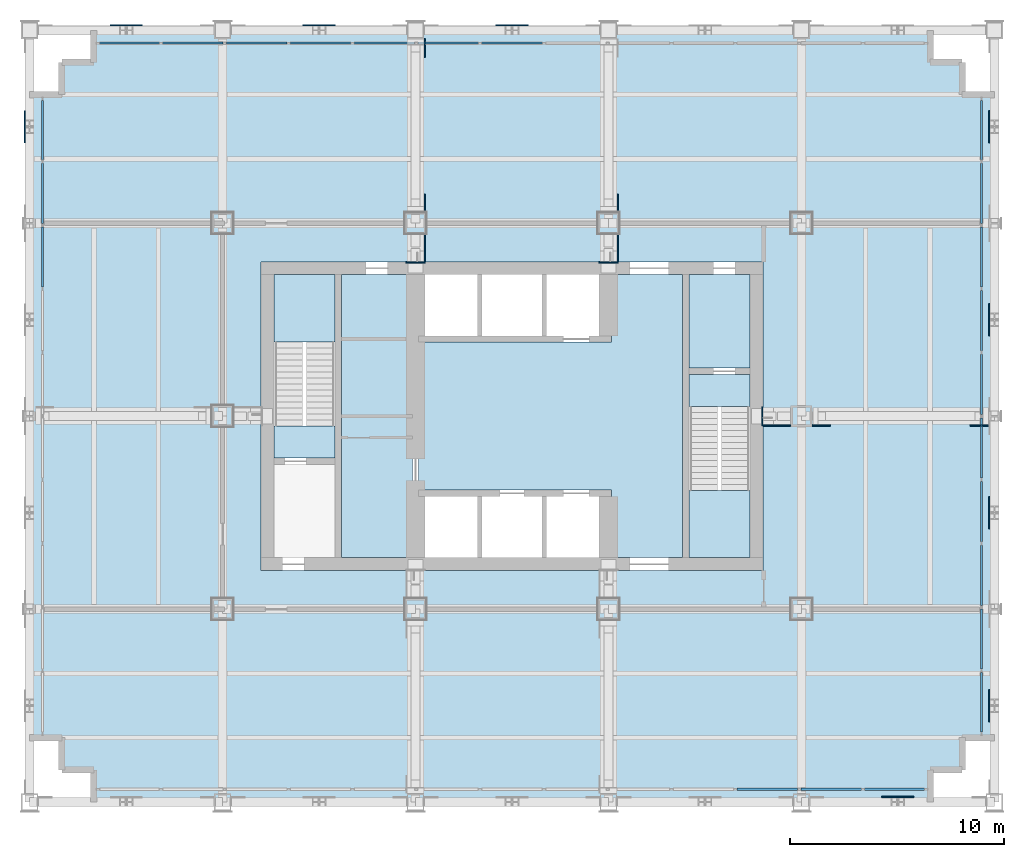
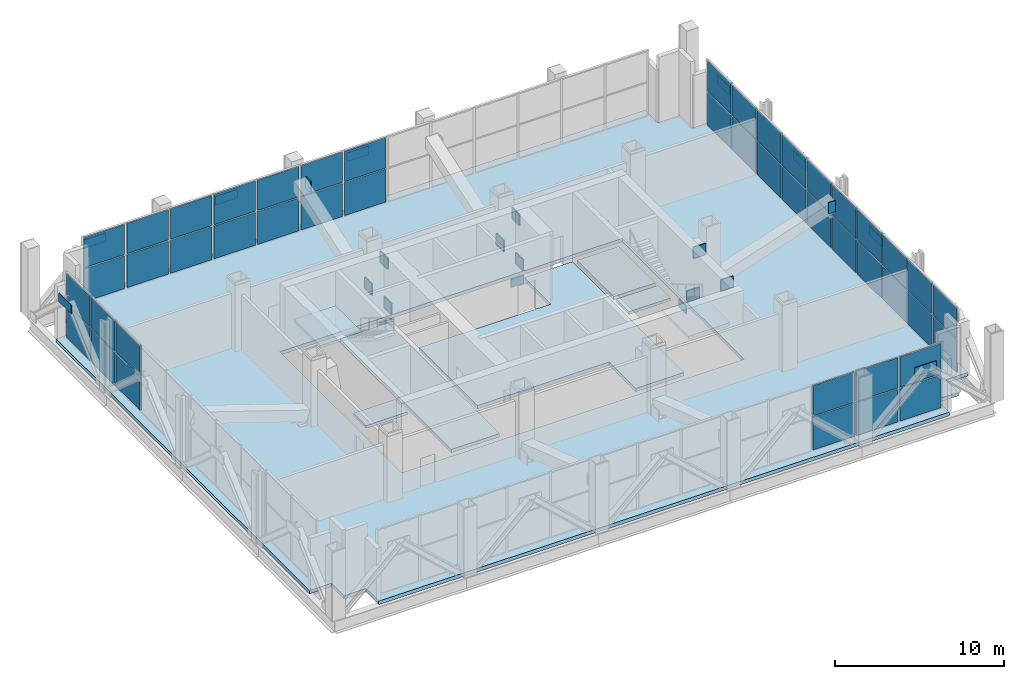
# One storey, part 10 of 16: 69 plates, 8 slabs, 6 elements without a shape of their own.
"""IFC4 building model written with IfcOpenShell, lengths in metres."""

from ifc_helpers import new_model, si_unit, direction, frame, origin, origin_2d, place, context, subcontext, project, spatial, polyline, rectangle, outline, extrude, material, layer, layer_set, type_object, element, aggregate, save


model = new_model("IFC4")

# Units and contexts
model_context = context("Model", 3, precision=1e-05, world=origin(), true_north=direction((0.0, 1.0)))
body_context = subcontext(model_context, "Body", "Model", "MODEL_VIEW")
ifc_project = project(units=[si_unit("LENGTHUNIT", "METRE"), si_unit("AREAUNIT", "SQUARE_METRE"), si_unit("VOLUMEUNIT", "CUBIC_METRE"), si_unit("PLANEANGLEUNIT", "RADIAN"), si_unit("MASSUNIT", "GRAM", prefix="KILO")], contexts=[model_context])

# Site, building, storey
site_placement = place(None, origin())
site = spatial("IfcSite", under=ifc_project, at=site_placement, CompositionType="ELEMENT")
building_placement = place(site_placement, origin())
building = spatial("IfcBuilding", under=site, at=building_placement, Name="Loomwork Tower", CompositionType="ELEMENT")
storey_placement = place(building_placement, frame((0.0, 0.0, 155.39990234375)))
storey = spatial("IfcBuildingStorey", under=building, at=storey_placement, Name="L42", CompositionType="ELEMENT", Elevation=155.39990234375)

# Slabs
ifc_material_1 = material(Name="Concrete 5000 psi (34 MPa) on composite metal deck", Category="concrete")
ifc_layer_1 = layer(ifc_material_1, 0.25)
ifc_layer_set_1 = layer_set([ifc_layer_1], Name="Floor slab 250")
slab_type_1 = type_object("IfcSlabType", Name="Floor slab 250", PredefinedType="FLOOR", material=ifc_layer_set_1)
slab_1_placement = place(storey_placement, frame((0.0, 0.0, -0.25)))
element("IfcSlab", 1, at=slab_1_placement, inside=storey, type_object=slab_type_1, Name="Floor slab L42", PredefinedType="FLOOR", context=body_context, shape_type="SweptSolid", body=[
    extrude(outline(polyline([(3.0, 1.5), (1.5, 1.5), (1.5, 3.0), (0.0, 3.0), (0.0, 33.0), (1.5, 33.0), (1.5, 34.5), (3.0, 34.5), (3.0, 36.0), (42.0, 36.0), (42.0, 34.5), (43.5, 34.5), (43.5, 33.0), (45.0, 33.0), (45.0, 3.0), (43.5, 3.0), (43.5, 1.5), (42.0, 1.5), (42.0, 0.0), (3.0, 0.0), (3.0, 1.5)]), holes=[polyline([(10.800048828125, 11.39990234375), (10.800048828125, 11.39990234375), (10.800048828125, 10.800048828125), (34.199951171875, 10.800048828125), (34.199951171875, 11.39990234375), (34.199951171875, 11.39990234375), (34.199951171875, 24.60009765625), (34.199951171875, 25.199951171875), (10.800048828125, 25.199951171875), (10.800048828125, 24.60009765625), (10.800048828125, 11.39990234375)])]), origin(), (0.0, 0.0, 1.0), 0.25),
])
slab_2_placement = place(storey_placement, frame((0.0, 0.0, -0.25)))
element("IfcSlab", 2, at=slab_2_placement, inside=storey, type_object=slab_type_1, Name="Floor slab L42", PredefinedType="FLOOR", context=body_context, shape_type="SweptSolid", body=[
    extrude(outline(polyline([(30.449951171875, 24.60009765625), (30.449951171875, 11.39990234375), (27.14990234375, 11.39990234375), (27.14990234375, 14.25), (27.14990234375, 14.550048828125), (18.14990234375, 14.550048828125), (18.14990234375, 21.449951171875), (27.14990234375, 21.449951171875), (27.14990234375, 21.75), (27.14990234375, 24.60009765625), (30.449951171875, 24.60009765625)])), origin(), (0.0, 0.0, 1.0), 0.25),
])
slab_3_placement = place(storey_placement, frame((0.0, 0.0, -0.25)))
element("IfcSlab", 3, at=slab_3_placement, inside=storey, type_object=slab_type_1, Name="Floor slab L42", PredefinedType="FLOOR", context=body_context, shape_type="SweptSolid", body=[
    extrude(outline(polyline([(14.550048828125, 11.39990234375), (14.550048828125, 24.60009765625), (17.85009765625, 24.60009765625), (17.85009765625, 11.39990234375), (14.550048828125, 11.39990234375)])), origin(), (0.0, 0.0, 1.0), 0.25),
])
slab_4_placement = place(storey_placement, frame((0.0, 0.0, -0.25)))
element("IfcSlab", 4, at=slab_4_placement, inside=storey, type_object=slab_type_1, Name="Floor slab L42", PredefinedType="FLOOR", context=body_context, shape_type="SweptSolid", body=[
    extrude(outline(polyline([(33.60009765625, 20.25), (30.75, 20.25), (30.75, 24.60009765625), (33.60009765625, 24.60009765625), (33.60009765625, 20.25)])), origin(), (0.0, 0.0, 1.0), 0.25),
])

# Curtain wall, plates
ifc_material_2 = material(Name="Aluminium louvre frame", Category="aluminium")
curtain_wall_type = type_object("IfcCurtainWallType", Name="Plant floor louvre screen", PredefinedType="NOTDEFINED", material=ifc_material_2)
curtain_wall_1_placement = place(storey_placement, origin())
curtain_wall_1 = element("IfcCurtainWall", 5, at=curtain_wall_1_placement, inside=storey, type_object=curtain_wall_type, Name="Plant floor louvre screen cw/S", PredefinedType="NOTDEFINED")
ifc_material_3 = material(Name="Aluminium louvre blade panel", Category="aluminium")
ifc_layer_2 = layer(ifc_material_3, 0.10009765625)
ifc_layer_set_2 = layer_set([ifc_layer_2], Name="Plant floor louvre screen panel")
plate_type_1 = type_object("IfcPlateType", Name="Plant floor louvre screen panel", PredefinedType="CURTAIN_PANEL", material=ifc_layer_set_2)
plate_1_placement = place(storey_placement, frame((34.40771484375, 0.60009765625, 0.080078125), z_axis=(0.0, 0.0, 1.0), x_axis=(1.0, 0.0, 0.0)))
plate_1 = element("IfcPlate", 6, at=plate_1_placement, type_object=plate_type_1, Name="CW4 panel 11.1", PredefinedType="CURTAIN_PANEL", context=body_context, shape_type="SweptSolid", body=[
    extrude(rectangle(XDim=2.826904296875, YDim=0.10009765625, at=origin_2d()), origin(), (0.0, 0.0, 1.0), 2.3798828125),
])
plate_2_placement = place(storey_placement, frame((34.40771484375, 0.60009765625, 2.5400390625), z_axis=(0.0, 0.0, 1.0), x_axis=(1.0, 0.0, 0.0)))
plate_2 = element("IfcPlate", 7, at=plate_2_placement, type_object=plate_type_1, Name="CW4 panel 11.2", PredefinedType="CURTAIN_PANEL", context=body_context, shape_type="SweptSolid", body=[
    extrude(rectangle(XDim=2.826904296875, YDim=0.10009765625, at=origin_2d()), origin(), (0.0, 0.0, 1.0), 2.179931640625),
])
plate_3_placement = place(storey_placement, frame((37.384521484375, 0.60009765625, 0.080078125), z_axis=(0.0, 0.0, 1.0), x_axis=(1.0, 0.0, 0.0)))
plate_3 = element("IfcPlate", 8, at=plate_3_placement, type_object=plate_type_1, Name="CW4 panel 12.1", PredefinedType="CURTAIN_PANEL", context=body_context, shape_type="SweptSolid", body=[
    extrude(rectangle(XDim=2.826904296875, YDim=0.10009765625, at=origin_2d()), origin(), (0.0, 0.0, 1.0), 2.3798828125),
])
plate_4_placement = place(storey_placement, frame((37.384521484375, 0.60009765625, 2.5400390625), z_axis=(0.0, 0.0, 1.0), x_axis=(1.0, 0.0, 0.0)))
plate_4 = element("IfcPlate", 9, at=plate_4_placement, type_object=plate_type_1, Name="CW4 panel 12.2", PredefinedType="CURTAIN_PANEL", context=body_context, shape_type="SweptSolid", body=[
    extrude(rectangle(XDim=2.826904296875, YDim=0.10009765625, at=origin_2d()), origin(), (0.0, 0.0, 1.0), 2.179931640625),
])
plate_5_placement = place(storey_placement, frame((40.341552734375, 0.60009765625, 0.080078125), z_axis=(0.0, 0.0, 1.0), x_axis=(1.0, 0.0, 0.0)))
plate_5 = element("IfcPlate", 10, at=plate_5_placement, type_object=plate_type_1, Name="CW4 panel 13.1", PredefinedType="CURTAIN_PANEL", context=body_context, shape_type="SweptSolid", body=[
    extrude(rectangle(XDim=2.786865234375, YDim=0.10009765625, at=origin_2d()), origin(), (0.0, 0.0, 1.0), 2.3798828125),
])
plate_6_placement = place(storey_placement, frame((40.341552734375, 0.60009765625, 2.5400390625), z_axis=(0.0, 0.0, 1.0), x_axis=(1.0, 0.0, 0.0)))
plate_6 = element("IfcPlate", 11, at=plate_6_placement, type_object=plate_type_1, Name="CW4 panel 13.2", PredefinedType="CURTAIN_PANEL", context=body_context, shape_type="SweptSolid", body=[
    extrude(rectangle(XDim=2.786865234375, YDim=0.10009765625, at=origin_2d()), origin(), (0.0, 0.0, 1.0), 2.179931640625),
])
aggregate(curtain_wall_1, [plate_1, plate_2, plate_3, plate_4, plate_5, plate_6])

curtain_wall_2_placement = place(storey_placement, origin())
curtain_wall_2 = element("IfcCurtainWall", 12, at=curtain_wall_2_placement, inside=storey, type_object=curtain_wall_type, Name="Plant floor louvre screen cw/E", PredefinedType="NOTDEFINED")
plate_7_placement = place(storey_placement, frame((44.39990234375, 4.655029296875, 0.080078125), z_axis=(0.0, 0.0, 1.0), x_axis=(0.0, 1.0, 0.0)))
plate_7 = element("IfcPlate", 13, at=plate_7_placement, type_object=plate_type_1, Name="CW4 panel 1.1", PredefinedType="CURTAIN_PANEL", context=body_context, shape_type="SweptSolid", body=[
    extrude(rectangle(XDim=2.780029296875, YDim=0.10009765625, at=origin_2d()), origin(), (0.0, 0.0, 1.0), 2.3798828125),
])
plate_8_placement = place(storey_placement, frame((44.39990234375, 4.655029296875, 2.5400390625), z_axis=(0.0, 0.0, 1.0), x_axis=(0.0, 1.0, 0.0)))
plate_8 = element("IfcPlate", 14, at=plate_8_placement, type_object=plate_type_1, Name="CW4 panel 1.2", PredefinedType="CURTAIN_PANEL", context=body_context, shape_type="SweptSolid", body=[
    extrude(rectangle(XDim=2.780029296875, YDim=0.10009765625, at=origin_2d()), origin(), (0.0, 0.0, 1.0), 2.179931640625),
])
plate_9_placement = place(storey_placement, frame((44.39990234375, 7.60498046875, 0.080078125), z_axis=(0.0, 0.0, 1.0), x_axis=(0.0, 1.0, 0.0)))
plate_9 = element("IfcPlate", 15, at=plate_9_placement, type_object=plate_type_1, Name="CW4 panel 2.1", PredefinedType="CURTAIN_PANEL", context=body_context, shape_type="SweptSolid", body=[
    extrude(rectangle(XDim=2.820068359375, YDim=0.10009765625, at=origin_2d()), origin(), (0.0, 0.0, 1.0), 2.3798828125),
])
plate_10_placement = place(storey_placement, frame((44.39990234375, 7.60498046875, 2.5400390625), z_axis=(0.0, 0.0, 1.0), x_axis=(0.0, 1.0, 0.0)))
plate_10 = element("IfcPlate", 16, at=plate_10_placement, type_object=plate_type_1, Name="CW4 panel 2.2", PredefinedType="CURTAIN_PANEL", context=body_context, shape_type="SweptSolid", body=[
    extrude(rectangle(XDim=2.820068359375, YDim=0.10009765625, at=origin_2d()), origin(), (0.0, 0.0, 1.0), 2.179931640625),
])
plate_11_placement = place(storey_placement, frame((44.39990234375, 10.574951171875, 0.080078125), z_axis=(0.0, 0.0, 1.0), x_axis=(0.0, 1.0, 0.0)))
plate_11 = element("IfcPlate", 17, at=plate_11_placement, type_object=plate_type_1, Name="CW4 panel 3.1", PredefinedType="CURTAIN_PANEL", context=body_context, shape_type="SweptSolid", body=[
    extrude(rectangle(XDim=2.820068359375, YDim=0.10009765625, at=origin_2d()), origin(), (0.0, 0.0, 1.0), 2.3798828125),
])
plate_12_placement = place(storey_placement, frame((44.39990234375, 10.574951171875, 2.5400390625), z_axis=(0.0, 0.0, 1.0), x_axis=(0.0, 1.0, 0.0)))
plate_12 = element("IfcPlate", 18, at=plate_12_placement, type_object=plate_type_1, Name="CW4 panel 3.2", PredefinedType="CURTAIN_PANEL", context=body_context, shape_type="SweptSolid", body=[
    extrude(rectangle(XDim=2.820068359375, YDim=0.10009765625, at=origin_2d()), origin(), (0.0, 0.0, 1.0), 2.179931640625),
])
plate_13_placement = place(storey_placement, frame((44.39990234375, 13.544921875, 0.080078125), z_axis=(0.0, 0.0, 1.0), x_axis=(0.0, 1.0, 0.0)))
plate_13 = element("IfcPlate", 19, at=plate_13_placement, type_object=plate_type_1, Name="CW4 panel 4.1", PredefinedType="CURTAIN_PANEL", context=body_context, shape_type="SweptSolid", body=[
    extrude(rectangle(XDim=2.820068359375, YDim=0.10009765625, at=origin_2d()), origin(), (0.0, 0.0, 1.0), 2.3798828125),
])
plate_14_placement = place(storey_placement, frame((44.39990234375, 13.544921875, 2.5400390625), z_axis=(0.0, 0.0, 1.0), x_axis=(0.0, 1.0, 0.0)))
plate_14 = element("IfcPlate", 20, at=plate_14_placement, type_object=plate_type_1, Name="CW4 panel 4.2", PredefinedType="CURTAIN_PANEL", context=body_context, shape_type="SweptSolid", body=[
    extrude(rectangle(XDim=2.820068359375, YDim=0.10009765625, at=origin_2d()), origin(), (0.0, 0.0, 1.0), 2.179931640625),
])
plate_15_placement = place(storey_placement, frame((44.39990234375, 16.514892578125, 0.080078125), z_axis=(0.0, 0.0, 1.0), x_axis=(0.0, 1.0, 0.0)))
plate_15 = element("IfcPlate", 21, at=plate_15_placement, type_object=plate_type_1, Name="CW4 panel 5.1", PredefinedType="CURTAIN_PANEL", context=body_context, shape_type="SweptSolid", body=[
    extrude(rectangle(XDim=2.820068359375, YDim=0.10009765625, at=origin_2d()), origin(), (0.0, 0.0, 1.0), 2.3798828125),
])
plate_16_placement = place(storey_placement, frame((44.39990234375, 16.514892578125, 2.5400390625), z_axis=(0.0, 0.0, 1.0), x_axis=(0.0, 1.0, 0.0)))
plate_16 = element("IfcPlate", 22, at=plate_16_placement, type_object=plate_type_1, Name="CW4 panel 5.2", PredefinedType="CURTAIN_PANEL", context=body_context, shape_type="SweptSolid", body=[
    extrude(rectangle(XDim=2.820068359375, YDim=0.10009765625, at=origin_2d()), origin(), (0.0, 0.0, 1.0), 2.179931640625),
])
plate_17_placement = place(storey_placement, frame((44.39990234375, 19.485107421875, 0.080078125), z_axis=(0.0, 0.0, 1.0), x_axis=(0.0, 1.0, 0.0)))
plate_17 = element("IfcPlate", 23, at=plate_17_placement, type_object=plate_type_1, Name="CW4 panel 6.1", PredefinedType="CURTAIN_PANEL", context=body_context, shape_type="SweptSolid", body=[
    extrude(rectangle(XDim=2.820068359375, YDim=0.10009765625, at=origin_2d()), origin(), (0.0, 0.0, 1.0), 2.3798828125),
])
plate_18_placement = place(storey_placement, frame((44.39990234375, 19.485107421875, 2.5400390625), z_axis=(0.0, 0.0, 1.0), x_axis=(0.0, 1.0, 0.0)))
plate_18 = element("IfcPlate", 24, at=plate_18_placement, type_object=plate_type_1, Name="CW4 panel 6.2", PredefinedType="CURTAIN_PANEL", context=body_context, shape_type="SweptSolid", body=[
    extrude(rectangle(XDim=2.820068359375, YDim=0.10009765625, at=origin_2d()), origin(), (0.0, 0.0, 1.0), 2.179931640625),
])
plate_19_placement = place(storey_placement, frame((44.39990234375, 22.455078125, 0.080078125), z_axis=(0.0, 0.0, 1.0), x_axis=(0.0, 1.0, 0.0)))
plate_19 = element("IfcPlate", 25, at=plate_19_placement, type_object=plate_type_1, Name="CW4 panel 7.1", PredefinedType="CURTAIN_PANEL", context=body_context, shape_type="SweptSolid", body=[
    extrude(rectangle(XDim=2.820068359375, YDim=0.10009765625, at=origin_2d()), origin(), (0.0, 0.0, 1.0), 2.3798828125),
])
plate_20_placement = place(storey_placement, frame((44.39990234375, 22.455078125, 2.5400390625), z_axis=(0.0, 0.0, 1.0), x_axis=(0.0, 1.0, 0.0)))
plate_20 = element("IfcPlate", 26, at=plate_20_placement, type_object=plate_type_1, Name="CW4 panel 7.2", PredefinedType="CURTAIN_PANEL", context=body_context, shape_type="SweptSolid", body=[
    extrude(rectangle(XDim=2.820068359375, YDim=0.10009765625, at=origin_2d()), origin(), (0.0, 0.0, 1.0), 2.179931640625),
])
plate_21_placement = place(storey_placement, frame((44.39990234375, 25.425048828125, 0.080078125), z_axis=(0.0, 0.0, 1.0), x_axis=(0.0, 1.0, 0.0)))
plate_21 = element("IfcPlate", 27, at=plate_21_placement, type_object=plate_type_1, Name="CW4 panel 8.1", PredefinedType="CURTAIN_PANEL", context=body_context, shape_type="SweptSolid", body=[
    extrude(rectangle(XDim=2.820068359375, YDim=0.10009765625, at=origin_2d()), origin(), (0.0, 0.0, 1.0), 2.3798828125),
])
plate_22_placement = place(storey_placement, frame((44.39990234375, 25.425048828125, 2.5400390625), z_axis=(0.0, 0.0, 1.0), x_axis=(0.0, 1.0, 0.0)))
plate_22 = element("IfcPlate", 28, at=plate_22_placement, type_object=plate_type_1, Name="CW4 panel 8.2", PredefinedType="CURTAIN_PANEL", context=body_context, shape_type="SweptSolid", body=[
    extrude(rectangle(XDim=2.820068359375, YDim=0.10009765625, at=origin_2d()), origin(), (0.0, 0.0, 1.0), 2.179931640625),
])
plate_23_placement = place(storey_placement, frame((44.39990234375, 28.39501953125, 0.080078125), z_axis=(0.0, 0.0, 1.0), x_axis=(0.0, 1.0, 0.0)))
plate_23 = element("IfcPlate", 29, at=plate_23_placement, type_object=plate_type_1, Name="CW4 panel 9.1", PredefinedType="CURTAIN_PANEL", context=body_context, shape_type="SweptSolid", body=[
    extrude(rectangle(XDim=2.820068359375, YDim=0.10009765625, at=origin_2d()), origin(), (0.0, 0.0, 1.0), 2.3798828125),
])
plate_24_placement = place(storey_placement, frame((44.39990234375, 28.39501953125, 2.5400390625), z_axis=(0.0, 0.0, 1.0), x_axis=(0.0, 1.0, 0.0)))
plate_24 = element("IfcPlate", 30, at=plate_24_placement, type_object=plate_type_1, Name="CW4 panel 9.2", PredefinedType="CURTAIN_PANEL", context=body_context, shape_type="SweptSolid", body=[
    extrude(rectangle(XDim=2.820068359375, YDim=0.10009765625, at=origin_2d()), origin(), (0.0, 0.0, 1.0), 2.179931640625),
])
plate_25_placement = place(storey_placement, frame((44.39990234375, 31.344970703125, 0.080078125), z_axis=(0.0, 0.0, 1.0), x_axis=(0.0, 1.0, 0.0)))
plate_25 = element("IfcPlate", 31, at=plate_25_placement, type_object=plate_type_1, Name="CW4 panel 10.1", PredefinedType="CURTAIN_PANEL", context=body_context, shape_type="SweptSolid", body=[
    extrude(rectangle(XDim=2.780029296875, YDim=0.10009765625, at=origin_2d()), origin(), (0.0, 0.0, 1.0), 2.3798828125),
])
plate_26_placement = place(storey_placement, frame((44.39990234375, 31.344970703125, 2.5400390625), z_axis=(0.0, 0.0, 1.0), x_axis=(0.0, 1.0, 0.0)))
plate_26 = element("IfcPlate", 32, at=plate_26_placement, type_object=plate_type_1, Name="CW4 panel 10.2", PredefinedType="CURTAIN_PANEL", context=body_context, shape_type="SweptSolid", body=[
    extrude(rectangle(XDim=2.780029296875, YDim=0.10009765625, at=origin_2d()), origin(), (0.0, 0.0, 1.0), 2.179931640625),
])
aggregate(curtain_wall_2, [plate_7, plate_8, plate_9, plate_10, plate_11, plate_12, plate_13, plate_14, plate_15, plate_16, plate_17, plate_18, plate_19, plate_20, plate_21, plate_22, plate_23, plate_24, plate_25, plate_26])

curtain_wall_3_placement = place(storey_placement, origin())
curtain_wall_3 = element("IfcCurtainWall", 33, at=curtain_wall_3_placement, inside=storey, type_object=curtain_wall_type, Name="Plant floor louvre screen cw/N", PredefinedType="NOTDEFINED")
plate_27_placement = place(storey_placement, frame((22.5, 35.39990234375, 0.080078125), z_axis=(0.0, 0.0, 1.0), x_axis=(-1.0, 0.0, 0.0)))
plate_27 = element("IfcPlate", 34, at=plate_27_placement, type_object=plate_type_1, Name="CW4 panel 7.1", PredefinedType="CURTAIN_PANEL", context=body_context, shape_type="SweptSolid", body=[
    extrude(rectangle(XDim=2.826904296875, YDim=0.10009765625, at=origin_2d()), origin(), (0.0, 0.0, 1.0), 2.3798828125),
])
plate_28_placement = place(storey_placement, frame((22.5, 35.39990234375, 2.5400390625), z_axis=(0.0, 0.0, 1.0), x_axis=(-1.0, 0.0, 0.0)))
plate_28 = element("IfcPlate", 35, at=plate_28_placement, type_object=plate_type_1, Name="CW4 panel 7.2", PredefinedType="CURTAIN_PANEL", context=body_context, shape_type="SweptSolid", body=[
    extrude(rectangle(XDim=2.826904296875, YDim=0.10009765625, at=origin_2d()), origin(), (0.0, 0.0, 1.0), 2.179931640625),
])
plate_29_placement = place(storey_placement, frame((19.523193359375, 35.39990234375, 0.080078125), z_axis=(0.0, 0.0, 1.0), x_axis=(-1.0, 0.0, 0.0)))
plate_29 = element("IfcPlate", 36, at=plate_29_placement, type_object=plate_type_1, Name="CW4 panel 8.1", PredefinedType="CURTAIN_PANEL", context=body_context, shape_type="SweptSolid", body=[
    extrude(rectangle(XDim=2.826904296875, YDim=0.10009765625, at=origin_2d()), origin(), (0.0, 0.0, 1.0), 2.3798828125),
])
plate_30_placement = place(storey_placement, frame((19.523193359375, 35.39990234375, 2.5400390625), z_axis=(0.0, 0.0, 1.0), x_axis=(-1.0, 0.0, 0.0)))
plate_30 = element("IfcPlate", 37, at=plate_30_placement, type_object=plate_type_1, Name="CW4 panel 8.2", PredefinedType="CURTAIN_PANEL", context=body_context, shape_type="SweptSolid", body=[
    extrude(rectangle(XDim=2.826904296875, YDim=0.10009765625, at=origin_2d()), origin(), (0.0, 0.0, 1.0), 2.179931640625),
])
plate_31_placement = place(storey_placement, frame((16.546142578125, 35.39990234375, 0.080078125), z_axis=(0.0, 0.0, 1.0), x_axis=(-1.0, 0.0, 0.0)))
plate_31 = element("IfcPlate", 38, at=plate_31_placement, type_object=plate_type_1, Name="CW4 panel 9.1", PredefinedType="CURTAIN_PANEL", context=body_context, shape_type="SweptSolid", body=[
    extrude(rectangle(XDim=2.826904296875, YDim=0.10009765625, at=origin_2d()), origin(), (0.0, 0.0, 1.0), 2.3798828125),
])
plate_32_placement = place(storey_placement, frame((16.546142578125, 35.39990234375, 2.5400390625), z_axis=(0.0, 0.0, 1.0), x_axis=(-1.0, 0.0, 0.0)))
plate_32 = element("IfcPlate", 39, at=plate_32_placement, type_object=plate_type_1, Name="CW4 panel 9.2", PredefinedType="CURTAIN_PANEL", context=body_context, shape_type="SweptSolid", body=[
    extrude(rectangle(XDim=2.826904296875, YDim=0.10009765625, at=origin_2d()), origin(), (0.0, 0.0, 1.0), 2.179931640625),
])
plate_33_placement = place(storey_placement, frame((13.5693359375, 35.39990234375, 0.080078125), z_axis=(0.0, 0.0, 1.0), x_axis=(-1.0, 0.0, 0.0)))
plate_33 = element("IfcPlate", 40, at=plate_33_placement, type_object=plate_type_1, Name="CW4 panel 10.1", PredefinedType="CURTAIN_PANEL", context=body_context, shape_type="SweptSolid", body=[
    extrude(rectangle(XDim=2.826904296875, YDim=0.10009765625, at=origin_2d()), origin(), (0.0, 0.0, 1.0), 2.3798828125),
])
plate_34_placement = place(storey_placement, frame((13.5693359375, 35.39990234375, 2.5400390625), z_axis=(0.0, 0.0, 1.0), x_axis=(-1.0, 0.0, 0.0)))
plate_34 = element("IfcPlate", 41, at=plate_34_placement, type_object=plate_type_1, Name="CW4 panel 10.2", PredefinedType="CURTAIN_PANEL", context=body_context, shape_type="SweptSolid", body=[
    extrude(rectangle(XDim=2.826904296875, YDim=0.10009765625, at=origin_2d()), origin(), (0.0, 0.0, 1.0), 2.179931640625),
])
plate_35_placement = place(storey_placement, frame((10.59228515625, 35.39990234375, 0.080078125), z_axis=(0.0, 0.0, 1.0), x_axis=(-1.0, 0.0, 0.0)))
plate_35 = element("IfcPlate", 42, at=plate_35_placement, type_object=plate_type_1, Name="CW4 panel 11.1", PredefinedType="CURTAIN_PANEL", context=body_context, shape_type="SweptSolid", body=[
    extrude(rectangle(XDim=2.826904296875, YDim=0.10009765625, at=origin_2d()), origin(), (0.0, 0.0, 1.0), 2.3798828125),
])
plate_36_placement = place(storey_placement, frame((10.59228515625, 35.39990234375, 2.5400390625), z_axis=(0.0, 0.0, 1.0), x_axis=(-1.0, 0.0, 0.0)))
plate_36 = element("IfcPlate", 43, at=plate_36_placement, type_object=plate_type_1, Name="CW4 panel 11.2", PredefinedType="CURTAIN_PANEL", context=body_context, shape_type="SweptSolid", body=[
    extrude(rectangle(XDim=2.826904296875, YDim=0.10009765625, at=origin_2d()), origin(), (0.0, 0.0, 1.0), 2.179931640625),
])
plate_37_placement = place(storey_placement, frame((7.615478515625, 35.39990234375, 0.080078125), z_axis=(0.0, 0.0, 1.0), x_axis=(-1.0, 0.0, 0.0)))
plate_37 = element("IfcPlate", 44, at=plate_37_placement, type_object=plate_type_1, Name="CW4 panel 12.1", PredefinedType="CURTAIN_PANEL", context=body_context, shape_type="SweptSolid", body=[
    extrude(rectangle(XDim=2.826904296875, YDim=0.10009765625, at=origin_2d()), origin(), (0.0, 0.0, 1.0), 2.3798828125),
])
plate_38_placement = place(storey_placement, frame((7.615478515625, 35.39990234375, 2.5400390625), z_axis=(0.0, 0.0, 1.0), x_axis=(-1.0, 0.0, 0.0)))
plate_38 = element("IfcPlate", 45, at=plate_38_placement, type_object=plate_type_1, Name="CW4 panel 12.2", PredefinedType="CURTAIN_PANEL", context=body_context, shape_type="SweptSolid", body=[
    extrude(rectangle(XDim=2.826904296875, YDim=0.10009765625, at=origin_2d()), origin(), (0.0, 0.0, 1.0), 2.179931640625),
])
plate_39_placement = place(storey_placement, frame((4.658447265625, 35.39990234375, 0.080078125), z_axis=(0.0, 0.0, 1.0), x_axis=(-1.0, 0.0, 0.0)))
plate_39 = element("IfcPlate", 46, at=plate_39_placement, type_object=plate_type_1, Name="CW4 panel 13.1", PredefinedType="CURTAIN_PANEL", context=body_context, shape_type="SweptSolid", body=[
    extrude(rectangle(XDim=2.786865234375, YDim=0.10009765625, at=origin_2d()), origin(), (0.0, 0.0, 1.0), 2.3798828125),
])
plate_40_placement = place(storey_placement, frame((4.658447265625, 35.39990234375, 2.5400390625), z_axis=(0.0, 0.0, 1.0), x_axis=(-1.0, 0.0, 0.0)))
plate_40 = element("IfcPlate", 47, at=plate_40_placement, type_object=plate_type_1, Name="CW4 panel 13.2", PredefinedType="CURTAIN_PANEL", context=body_context, shape_type="SweptSolid", body=[
    extrude(rectangle(XDim=2.786865234375, YDim=0.10009765625, at=origin_2d()), origin(), (0.0, 0.0, 1.0), 2.179931640625),
])
aggregate(curtain_wall_3, [plate_27, plate_28, plate_29, plate_30, plate_31, plate_32, plate_33, plate_34, plate_35, plate_36, plate_37, plate_38, plate_39, plate_40])

curtain_wall_4_placement = place(storey_placement, origin())
curtain_wall_4 = element("IfcCurtainWall", 48, at=curtain_wall_4_placement, inside=storey, type_object=curtain_wall_type, Name="Plant floor louvre screen cw/W", PredefinedType="NOTDEFINED")
plate_41_placement = place(storey_placement, frame((0.60009765625, 31.344970703125, 0.080078125), z_axis=(0.0, 0.0, 1.0), x_axis=(0.0, -1.0, 0.0)))
plate_41 = element("IfcPlate", 49, at=plate_41_placement, type_object=plate_type_1, Name="CW4 panel 1.1", PredefinedType="CURTAIN_PANEL", context=body_context, shape_type="SweptSolid", body=[
    extrude(rectangle(XDim=2.780029296875, YDim=0.10009765625, at=origin_2d()), origin(), (0.0, 0.0, 1.0), 2.3798828125),
])
plate_42_placement = place(storey_placement, frame((0.60009765625, 31.344970703125, 2.5400390625), z_axis=(0.0, 0.0, 1.0), x_axis=(0.0, -1.0, 0.0)))
plate_42 = element("IfcPlate", 50, at=plate_42_placement, type_object=plate_type_1, Name="CW4 panel 1.2", PredefinedType="CURTAIN_PANEL", context=body_context, shape_type="SweptSolid", body=[
    extrude(rectangle(XDim=2.780029296875, YDim=0.10009765625, at=origin_2d()), origin(), (0.0, 0.0, 1.0), 2.179931640625),
])
plate_43_placement = place(storey_placement, frame((0.60009765625, 28.39501953125, 0.080078125), z_axis=(0.0, 0.0, 1.0), x_axis=(0.0, -1.0, 0.0)))
plate_43 = element("IfcPlate", 51, at=plate_43_placement, type_object=plate_type_1, Name="CW4 panel 2.1", PredefinedType="CURTAIN_PANEL", context=body_context, shape_type="SweptSolid", body=[
    extrude(rectangle(XDim=2.820068359375, YDim=0.10009765625, at=origin_2d()), origin(), (0.0, 0.0, 1.0), 2.3798828125),
])
plate_44_placement = place(storey_placement, frame((0.60009765625, 28.39501953125, 2.5400390625), z_axis=(0.0, 0.0, 1.0), x_axis=(0.0, -1.0, 0.0)))
plate_44 = element("IfcPlate", 52, at=plate_44_placement, type_object=plate_type_1, Name="CW4 panel 2.2", PredefinedType="CURTAIN_PANEL", context=body_context, shape_type="SweptSolid", body=[
    extrude(rectangle(XDim=2.820068359375, YDim=0.10009765625, at=origin_2d()), origin(), (0.0, 0.0, 1.0), 2.179931640625),
])
plate_45_placement = place(storey_placement, frame((0.60009765625, 25.425048828125, 0.080078125), z_axis=(0.0, 0.0, 1.0), x_axis=(0.0, -1.0, 0.0)))
plate_45 = element("IfcPlate", 53, at=plate_45_placement, type_object=plate_type_1, Name="CW4 panel 3.1", PredefinedType="CURTAIN_PANEL", context=body_context, shape_type="SweptSolid", body=[
    extrude(rectangle(XDim=2.820068359375, YDim=0.10009765625, at=origin_2d()), origin(), (0.0, 0.0, 1.0), 2.3798828125),
])
plate_46_placement = place(storey_placement, frame((0.60009765625, 25.425048828125, 2.5400390625), z_axis=(0.0, 0.0, 1.0), x_axis=(0.0, -1.0, 0.0)))
plate_46 = element("IfcPlate", 54, at=plate_46_placement, type_object=plate_type_1, Name="CW4 panel 3.2", PredefinedType="CURTAIN_PANEL", context=body_context, shape_type="SweptSolid", body=[
    extrude(rectangle(XDim=2.820068359375, YDim=0.10009765625, at=origin_2d()), origin(), (0.0, 0.0, 1.0), 2.179931640625),
])
aggregate(curtain_wall_4, [plate_41, plate_42, plate_43, plate_44, plate_45, plate_46])

# Stair, slabs
ifc_material_4 = material(Name="Concrete 5000 psi (34 MPa) precast stair", Category="concrete")
stair_type_1 = type_object("IfcStairType", Name="Stair ST-A 30 risers 2850 wide", PredefinedType="HALF_TURN_STAIR", material=ifc_material_4)
stair_1_placement = place(storey_placement, origin())
stair_1 = element("IfcStair", 55, at=stair_1_placement, inside=storey, type_object=stair_type_1, Name="Stair A L42", PredefinedType="HALF_TURN_STAIR")
ifc_material_5 = material(Name="Concrete 5000 psi (34 MPa)", Category="concrete")
ifc_layer_3 = layer(ifc_material_5, 0.199951171875)
ifc_layer_set_3 = layer_set([ifc_layer_3], Name="Stair landing 200")
slab_type_2 = type_object("IfcSlabType", Name="Stair landing 200", PredefinedType="LANDING", material=ifc_layer_set_3)
slab_5_placement = place(storey_placement, frame((0.0, 0.0, -0.199951171875)))
slab_5 = element("IfcSlab", 56, at=slab_5_placement, type_object=slab_type_2, Name="ST-A landing 1", PredefinedType="LANDING", context=body_context, shape_type="SweptSolid", body=[
    extrude(outline(polyline([(11.39990234375, 16.050048828125), (14.25, 16.050048828125), (14.25, 17.550048828125), (11.39990234375, 17.550048828125), (11.39990234375, 16.050048828125)])), origin(), (0.0, 0.0, 1.0), 0.199951171875),
])
slab_6_placement = place(storey_placement, frame((0.0, 0.0, 2.300048828125)))
slab_6 = element("IfcSlab", 57, at=slab_6_placement, type_object=slab_type_2, Name="ST-A landing 2", PredefinedType="LANDING", context=body_context, shape_type="SweptSolid", body=[
    extrude(outline(polyline([(11.39990234375, 21.469970703125), (14.25, 21.469970703125), (14.25, 24.60009765625), (11.39990234375, 24.60009765625), (11.39990234375, 21.469970703125)])), origin(), (0.0, 0.0, 1.0), 0.199951171875),
])
aggregate(stair_1, [slab_5, slab_6])

ifc_material_6 = material(Name="Concrete 5000 psi (34 MPa) precast stair", Category="concrete")
stair_type_2 = type_object("IfcStairType", Name="Stair ST-B 30 risers 2850 wide", PredefinedType="HALF_TURN_STAIR", material=ifc_material_6)
stair_2_placement = place(storey_placement, origin())
stair_2 = element("IfcStair", 58, at=stair_2_placement, inside=storey, type_object=stair_type_2, Name="Stair B L42", PredefinedType="HALF_TURN_STAIR")
slab_7_placement = place(storey_placement, frame((0.0, 0.0, -0.199951171875)))
slab_7 = element("IfcSlab", 59, at=slab_7_placement, type_object=slab_type_2, Name="ST-B landing 1", PredefinedType="LANDING", context=body_context, shape_type="SweptSolid", body=[
    extrude(outline(polyline([(30.75, 18.449951171875), (33.60009765625, 18.449951171875), (33.60009765625, 19.949951171875), (30.75, 19.949951171875), (30.75, 18.449951171875)])), origin(), (0.0, 0.0, 1.0), 0.199951171875),
])
slab_8_placement = place(storey_placement, frame((0.0, 0.0, 2.300048828125)))
slab_8 = element("IfcSlab", 60, at=slab_8_placement, type_object=slab_type_2, Name="ST-B landing 2", PredefinedType="LANDING", context=body_context, shape_type="SweptSolid", body=[
    extrude(outline(polyline([(30.75, 11.39990234375), (33.60009765625, 11.39990234375), (33.60009765625, 14.530029296875), (30.75, 14.530029296875), (30.75, 11.39990234375)])), origin(), (0.0, 0.0, 1.0), 0.199951171875),
])
aggregate(stair_2, [slab_7, slab_8])

# Plates
ifc_material_7 = material(Name="Steel ASTM A572 Grade 50 plate", Category="steel")
ifc_layer_4 = layer(ifc_material_7, 0.06005859375)
ifc_layer_set_4 = layer_set([ifc_layer_4], Name="OUTRIGGER CAST-IN CORE PLATE 60")
plate_type_2 = type_object("IfcPlateType", Name="OUTRIGGER CAST-IN CORE PLATE 60", PredefinedType="SHEET", material=ifc_layer_set_4)
for number, where, z_axis, x_axis, name in (
    (61, (34.169921875, 18.0, -0.8447265625), (0.0, 0.0, 1.0), (0.0, 1.0, 0.0), "Outrigger cast-in core plate 36,18-33.9,18 L42"),
    (62, (27.0, 25.169921875, -0.8447265625), (0.0, 0.0, 1.0), (1.0, 0.0, 0.0), "Outrigger cast-in core plate 27,27-27,24.9 L42"),
    (63, (18.0, 25.169921875, -0.8447265625), (0.0, 0.0, 1.0), (1.0, 0.0, 0.0), "Outrigger cast-in core plate 18,27-18,24.9 L42"),
):
    element("IfcPlate", number, at=place(storey_placement, frame(where, z_axis=z_axis, x_axis=x_axis)), inside=storey, type_object=plate_type_2, Name=name, PredefinedType="SHEET", context=body_context, shape_type="SweptSolid", body=[
        extrude(rectangle(XDim=0.89990234375, YDim=0.06005859375, at=origin_2d()), origin(), (0.0, 0.0, 1.0), 0.590087890625),
    ])
ifc_material_8 = material(Name="Steel ASTM A572 Grade 50 plate", Category="steel")
ifc_layer_5 = layer(ifc_material_8, 0.050048828125)
ifc_layer_set_5 = layer_set([ifc_layer_5], Name="BELT TRUSS APEX GUSSET PLATE 50")
plate_type_3 = type_object("IfcPlateType", Name="BELT TRUSS APEX GUSSET PLATE 50", PredefinedType="SHEET", material=ifc_layer_set_5)
for number, where, z_axis, x_axis, name in (
    (64, (40.5, 0.235595703125, 3.230712890625), (0.0, 0.0, 1.0), (1.0, 0.0, 0.0), "Belt truss chevron apex gusset plate D/6-D/7 L42"),
    (65, (44.764404296875, 4.5, 3.230712890625), (0.0, 0.0, 1.0), (0.0, 1.0, 0.0), "Belt truss chevron apex gusset plate D/7-E/7 L42"),
    (66, (44.764404296875, 13.5, 3.230712890625), (0.0, 0.0, 1.0), (0.0, 1.0, 0.0), "Belt truss chevron apex gusset plate E/7-F/7 L42"),
    (67, (44.764404296875, 22.5, 3.230712890625), (0.0, 0.0, 1.0), (0.0, 1.0, 0.0), "Belt truss chevron apex gusset plate F/7-G/7 L42"),
    (68, (-0.235595703125, 31.5, 3.230712890625), (0.0, 0.0, 1.0), (0.0, 1.0, 0.0), "Belt truss chevron apex gusset plate G/2-H/2 L42"),
    (69, (44.764404296875, 31.5, 3.230712890625), (0.0, 0.0, 1.0), (0.0, 1.0, 0.0), "Belt truss chevron apex gusset plate G/7-H/7 L42"),
    (70, (4.5, 36.235595703125, 3.230712890625), (0.0, 0.0, 1.0), (1.0, 0.0, 0.0), "Belt truss chevron apex gusset plate H/2-H/3 L42"),
    (71, (13.5, 36.235595703125, 3.230712890625), (0.0, 0.0, 1.0), (1.0, 0.0, 0.0), "Belt truss chevron apex gusset plate H/3-H/4 L42"),
    (72, (22.5, 36.235595703125, 3.230712890625), (0.0, 0.0, 1.0), (1.0, 0.0, 0.0), "Belt truss chevron apex gusset plate H/4-H/5 L42"),
):
    element("IfcPlate", number, at=place(storey_placement, frame(where, z_axis=z_axis, x_axis=x_axis)), inside=storey, type_object=plate_type_3, Name=name, PredefinedType="SHEET", context=body_context, shape_type="SweptSolid", body=[
        extrude(rectangle(XDim=1.5, YDim=0.050048828125, at=origin_2d()), origin(), (0.0, 0.0, 1.0), 0.6201171875),
    ])
ifc_material_9 = material(Name="Steel ASTM A572 Grade 50 plate", Category="steel")
ifc_layer_6 = layer(ifc_material_9, 0.06005859375)
ifc_layer_set_6 = layer_set([ifc_layer_6], Name="OUTRIGGER GUSSET PLATE 60")
plate_type_4 = type_object("IfcPlateType", Name="OUTRIGGER GUSSET PLATE 60", PredefinedType="SHEET", material=ifc_layer_set_6)
for number, where, z_axis, x_axis, name in (
    (73, (44.296630859375, 17.569091796875, 3.0224609375), (0.0, 0.0, 1.0), (1.0, 0.0, 0.0), "Outrigger top gusset plate F/7/0 L42"),
    (74, (36.928955078125, 17.569091796875, 0.01025390625), (0.0, 0.0, 1.0), (1.0, 0.0, 0.0), "Outrigger bot gusset plate F/7/0 L42"),
    (75, (35.071044921875, 17.569091796875, 3.0224609375), (0.0, 0.0, 1.0), (1.0, 0.0, 0.0), "Outrigger top gusset plate F/6/1 L42"),
    (76, (34.62890625, 17.569091796875, 0.01025390625), (0.0, 0.0, 1.0), (1.0, 0.0, 0.0), "Outrigger bot gusset plate F/6/1 L42"),
    (77, (18.430908203125, 35.1708984375, 3.0224609375), (0.0, 0.0, 1.0), (0.0, 1.0, 0.0), "Outrigger top gusset plate H/4/0 L42"),
    (78, (18.430908203125, 27.928955078125, 0.01025390625), (0.0, 0.0, 1.0), (0.0, 1.0, 0.0), "Outrigger bot gusset plate H/4/0 L42"),
    (79, (18.430908203125, 26.071044921875, 3.0224609375), (0.0, 0.0, 1.0), (0.0, 1.0, 0.0), "Outrigger top gusset plate G/4/1 L42"),
    (80, (18.430908203125, 25.62890625, 0.01025390625), (0.0, 0.0, 1.0), (0.0, 1.0, 0.0), "Outrigger bot gusset plate G/4/1 L42"),
    (81, (27.430908203125, 27.928955078125, 0.01025390625), (0.0, 0.0, 1.0), (0.0, 1.0, 0.0), "Outrigger bot gusset plate H/5/0 L42"),
    (82, (27.430908203125, 26.071044921875, 3.0224609375), (0.0, 0.0, 1.0), (0.0, 1.0, 0.0), "Outrigger top gusset plate G/5/1 L42"),
    (83, (27.430908203125, 25.62890625, 0.01025390625), (0.0, 0.0, 1.0), (0.0, 1.0, 0.0), "Outrigger bot gusset plate G/5/1 L42"),
):
    element("IfcPlate", number, at=place(storey_placement, frame(where, z_axis=z_axis, x_axis=x_axis)), inside=storey, type_object=plate_type_4, Name=name, PredefinedType="SHEET", context=body_context, shape_type="SweptSolid", body=[
        extrude(rectangle(XDim=0.85009765625, YDim=0.06005859375, at=origin_2d()), origin(), (0.0, 0.0, 1.0), 0.820068359375),
    ])

save(model, "model.ifc")
